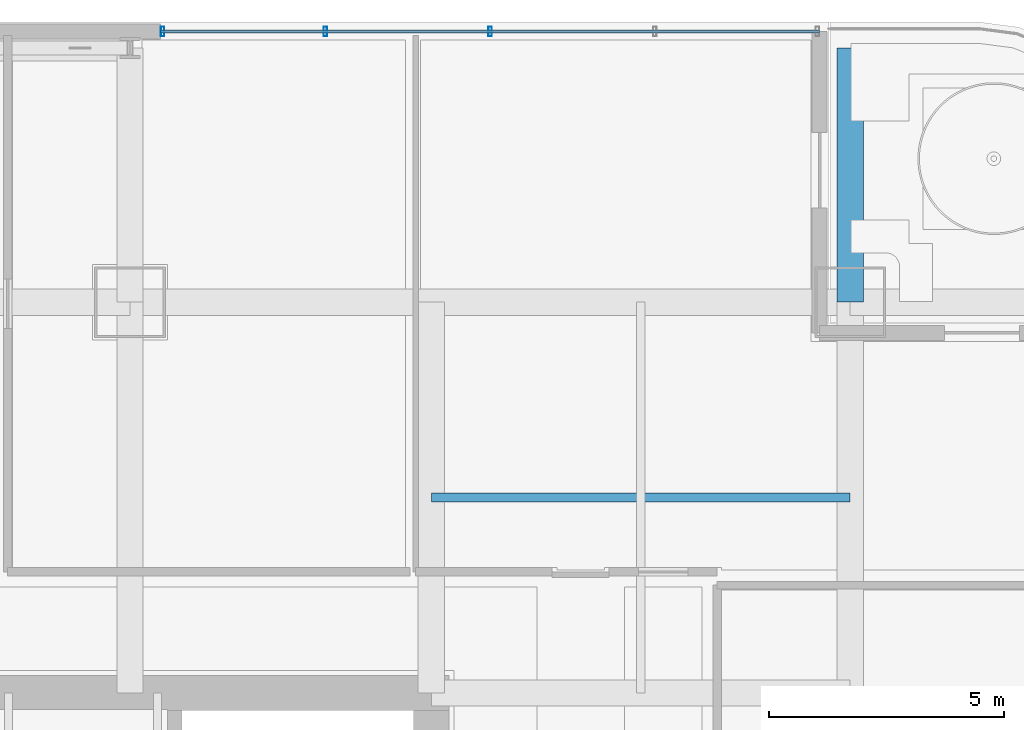
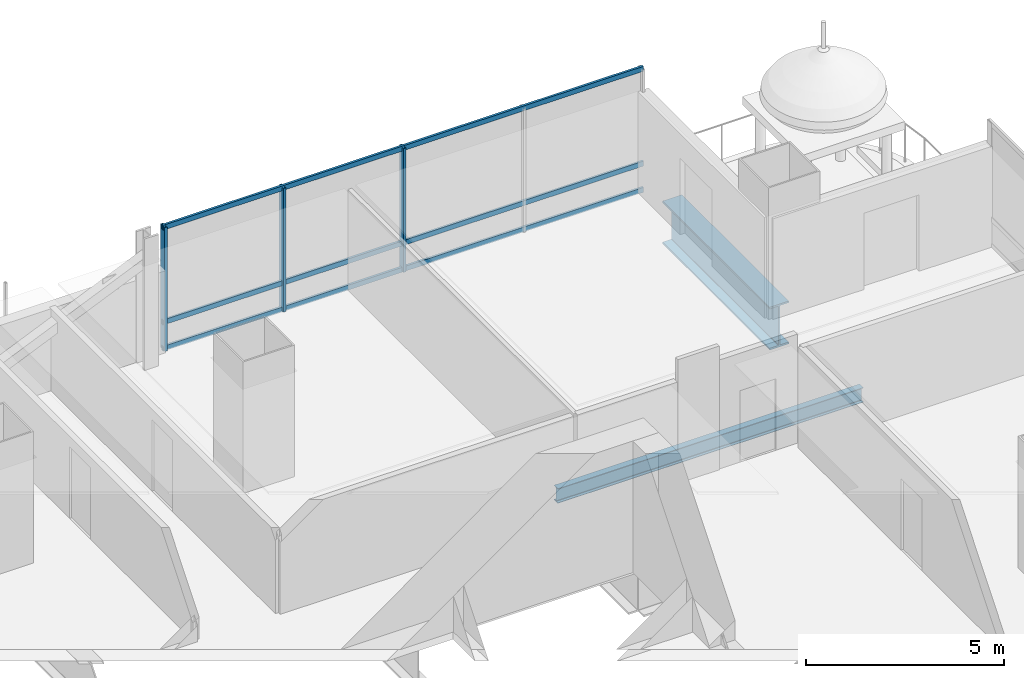
# One storey, part 21 of 37: 6 members, 2 beams, 1 element without a shape of its own.
"""IFC4 building model written with IfcOpenShell, lengths in metres."""

from ifc_helpers import new_model, si_unit, direction, frame, origin, origin_2d, place, context, subcontext, project, spatial, hollow_rectangle, i_section, extrude, material, material_profile, profile_set, type_object, element, aggregate, save


model = new_model("IFC4")

# Units and contexts
model_context = context("Model", 3, precision=1e-05, world=origin(), true_north=direction((0.0, 1.0)))
body_context = subcontext(model_context, "Body", "Model", "MODEL_VIEW")
ifc_project = project(units=[si_unit("LENGTHUNIT", "METRE"), si_unit("AREAUNIT", "SQUARE_METRE"), si_unit("VOLUMEUNIT", "CUBIC_METRE"), si_unit("PLANEANGLEUNIT", "RADIAN"), si_unit("MASSUNIT", "GRAM", prefix="KILO")], contexts=[model_context])

# Site, building, storey
site_placement = place(None, origin())
site = spatial("IfcSite", under=ifc_project, at=site_placement, CompositionType="ELEMENT")
building_placement = place(site_placement, origin())
building = spatial("IfcBuilding", under=site, at=building_placement, Name="Punatoya Terracotta Tower", CompositionType="ELEMENT")
storey_placement = place(building_placement, frame((0.0, 0.0, 109.199951171875)))
storey = spatial("IfcBuildingStorey", under=building, at=storey_placement, Name="L25", CompositionType="ELEMENT", Elevation=109.199951171875)

# Beams
ifc_material_1 = material(Name="Steel S355", Category="steel")
ifc_material_profile_1 = material_profile(ifc_material_1, i_section(OverallWidth=0.18994140625, OverallDepth=0.449951171875, WebThickness=0.009521484375, FlangeThickness=0.0146484375, FilletRadius=0.01806640625, at=origin_2d()))
ifc_profile_set_1 = profile_set([ifc_material_profile_1], Name="Steel S355")
beam_type_1 = type_object("IfcBeamType", Name="BM-SEC-450", PredefinedType="JOIST", material=ifc_profile_set_1)
beam_1_placement = place(storey_placement, frame((10.199951171875, 13.35009765625, -0.46484375), z_axis=(1.0, 0.0, 0.0), x_axis=(0.0, 1.0, 0.0)))
element("IfcBeam", 1, at=beam_1_placement, inside=storey, type_object=beam_type_1, Name="BM-L25-SJN-2", PredefinedType="JOIST", context=body_context, shape_type="SweptSolid", body=[
    extrude(i_section(OverallWidth=0.18994140625, OverallDepth=0.449951171875, WebThickness=0.009521484375, FlangeThickness=0.0146484375, FilletRadius=0.01806640625, at=origin_2d()), origin(), (0.0, 0.0, 1.0), 8.900146484375),
])
ifc_material_2 = material(Name="Steel S460", Category="steel")
ifc_material_profile_2 = material_profile(ifc_material_2, i_section(OverallWidth=0.56005859375, OverallDepth=1.320068359375, WebThickness=0.035888671875, FlangeThickness=0.054931640625, FilletRadius=0.01806640625, at=origin_2d()))
ifc_profile_set_2 = profile_set([ifc_material_profile_2], Name="Steel S460")
beam_type_2 = type_object("IfcBeamType", Name="BM-TG-BLK", PredefinedType="BEAM", material=ifc_profile_set_2)
beam_2_placement = place(storey_placement, frame((19.10009765625, 17.5, -0.89990234375), z_axis=(0.0, 1.0, 0.0), x_axis=(-1.0, 0.0, 0.0)))
element("IfcBeam", 2, at=beam_2_placement, inside=storey, type_object=beam_type_2, Name="BM-L25-SLT-NE-1", PredefinedType="BEAM", context=body_context, shape_type="SweptSolid", body=[
    extrude(i_section(OverallWidth=0.56005859375, OverallDepth=1.320068359375, WebThickness=0.035888671875, FlangeThickness=0.054931640625, FilletRadius=0.01806640625, at=origin_2d()), origin(), (0.0, 0.0, 1.0), 5.39990234375),
])

# Curtain wall, members
ifc_material_3 = material(Name="Aluminium 6063-T6 + Double Low-E Glass", Category="aluminium")
curtain_wall_type = type_object("IfcCurtainWallType", Name="CW-M1", PredefinedType="NOTDEFINED", material=ifc_material_3)
curtain_wall_placement = place(storey_placement, origin())
curtain_wall = element("IfcCurtainWall", 3, at=curtain_wall_placement, inside=storey, type_object=curtain_wall_type, Name="L25 Curtain Wall CW-L25-N08-1", PredefinedType="NOTDEFINED")
ifc_material_4 = material(Name="Aluminium 6063-T6", Category="aluminium")
ifc_material_profile_3 = material_profile(ifc_material_4, hollow_rectangle(XDim=0.074951171875, YDim=0.2099609375, WallThickness=0.00439453125, at=origin_2d()))
ifc_profile_set_3 = profile_set([ifc_material_profile_3], Name="Aluminium 6063-T6")
member_type_1 = type_object("IfcMemberType", Name="CW-MUL-M1", PredefinedType="MULLION", material=ifc_profile_set_3)
member_1_placement = place(storey_placement, frame((11.449951171875, 23.25, 0.0), z_axis=(0.0, 0.0, 1.0), x_axis=(1.0, 0.0, 0.0)))
member_1 = element("IfcMember", 4, at=member_1_placement, type_object=member_type_1, Name="CW-L25-N08-1 Mullion 02", PredefinedType="MULLION", context=body_context, shape_type="SweptSolid", body=[
    extrude(hollow_rectangle(XDim=0.074951171875, YDim=0.2099609375, WallThickness=0.00439453125, at=origin_2d()), origin(), (0.0, 0.0, 1.0), 3.81005859375),
])
member_2_placement = place(storey_placement, frame((7.949951171875, 23.25, 0.0), z_axis=(0.0, 0.0, 1.0), x_axis=(1.0, 0.0, 0.0)))
member_2 = element("IfcMember", 5, at=member_2_placement, type_object=member_type_1, Name="CW-L25-N08-1 Mullion 03", PredefinedType="MULLION", context=body_context, shape_type="SweptSolid", body=[
    extrude(hollow_rectangle(XDim=0.074951171875, YDim=0.2099609375, WallThickness=0.00439453125, at=origin_2d()), origin(), (0.0, 0.0, 1.0), 3.81005859375),
])
member_3_placement = place(storey_placement, frame((4.4951171875, 23.25, 0.0), z_axis=(0.0, 0.0, 1.0), x_axis=(1.0, 0.0, 0.0)))
member_3 = element("IfcMember", 6, at=member_3_placement, type_object=member_type_1, Name="CW-L25-N08-1 Mullion 04", PredefinedType="MULLION", context=body_context, shape_type="SweptSolid", body=[
    extrude(hollow_rectangle(XDim=0.074951171875, YDim=0.2099609375, WallThickness=0.00439453125, at=origin_2d()), origin(), (0.0, 0.0, 1.0), 3.81005859375),
])
ifc_material_profile_4 = material_profile(ifc_material_4, hollow_rectangle(XDim=0.068115234375, YDim=0.14990234375, WallThickness=0.00390625, at=origin_2d()))
ifc_profile_set_4 = profile_set([ifc_material_profile_4], Name="Aluminium 6063-T6")
member_type_2 = type_object("IfcMemberType", Name="CW-TRN-TYP", PredefinedType="USERDEFINED", material=ifc_profile_set_4)
member_4_placement = place(storey_placement, frame((18.449951171875, 23.25, 0.0400390625), z_axis=(-1.0, 0.0, 0.0), x_axis=(0.0, -1.0, 0.0)))
member_4 = element("IfcMember", 7, at=member_4_placement, type_object=member_type_2, Name="CW-L25-N08-1 Transom 1", ObjectType="TRANSOM", PredefinedType="USERDEFINED", context=body_context, shape_type="SweptSolid", body=[
    extrude(hollow_rectangle(XDim=0.068115234375, YDim=0.14990234375, WallThickness=0.00390625, at=origin_2d()), origin(), (0.0, 0.0, 1.0), 14.0),
])
member_5_placement = place(storey_placement, frame((18.449951171875, 23.25, 0.85009765625), z_axis=(-1.0, 0.0, 0.0), x_axis=(0.0, -1.0, 0.0)))
member_5 = element("IfcMember", 8, at=member_5_placement, type_object=member_type_2, Name="CW-L25-N08-1 Transom 2", ObjectType="TRANSOM", PredefinedType="USERDEFINED", context=body_context, shape_type="SweptSolid", body=[
    extrude(hollow_rectangle(XDim=0.068115234375, YDim=0.14990234375, WallThickness=0.00390625, at=origin_2d()), origin(), (0.0, 0.0, 1.0), 14.0),
])
member_6_placement = place(storey_placement, frame((18.449951171875, 23.25, 3.77001953125), z_axis=(-1.0, 0.0, 0.0), x_axis=(0.0, -1.0, 0.0)))
member_6 = element("IfcMember", 9, at=member_6_placement, type_object=member_type_2, Name="CW-L25-N08-1 Transom 3", ObjectType="TRANSOM", PredefinedType="USERDEFINED", context=body_context, shape_type="SweptSolid", body=[
    extrude(hollow_rectangle(XDim=0.068115234375, YDim=0.14990234375, WallThickness=0.00390625, at=origin_2d()), origin(), (0.0, 0.0, 1.0), 14.0),
])
aggregate(curtain_wall, [member_1, member_2, member_3, member_4, member_5, member_6])

save(model, "model.ifc")
